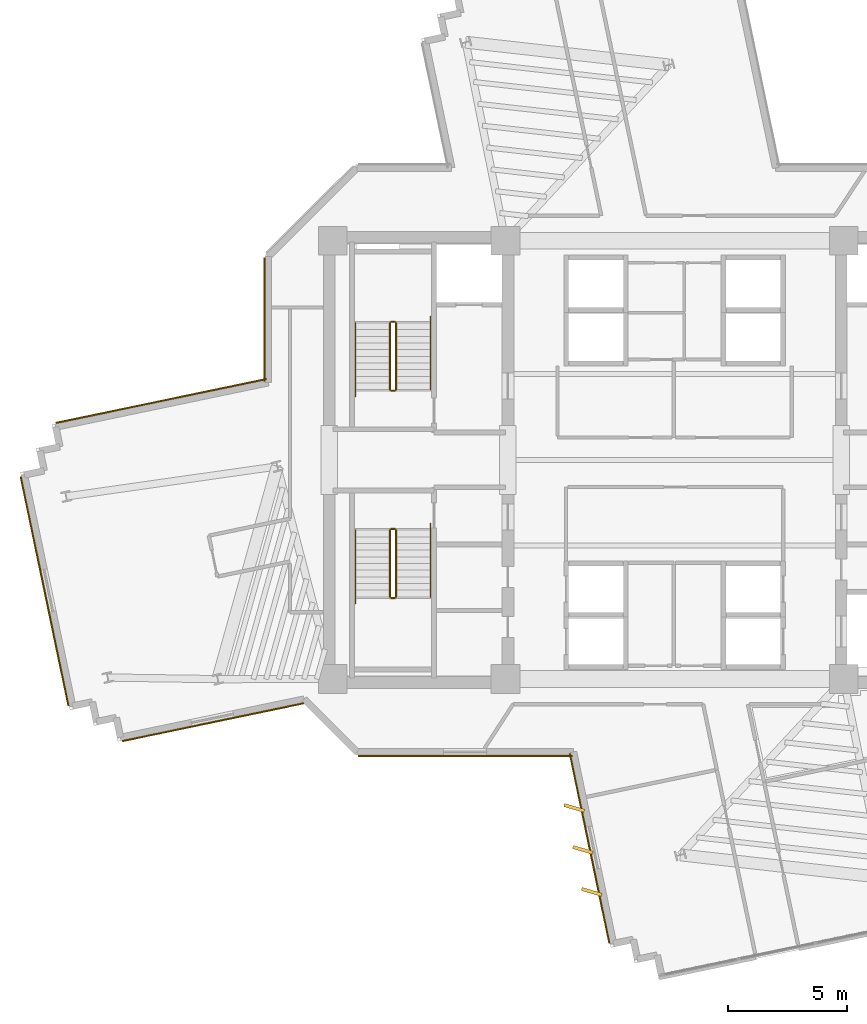
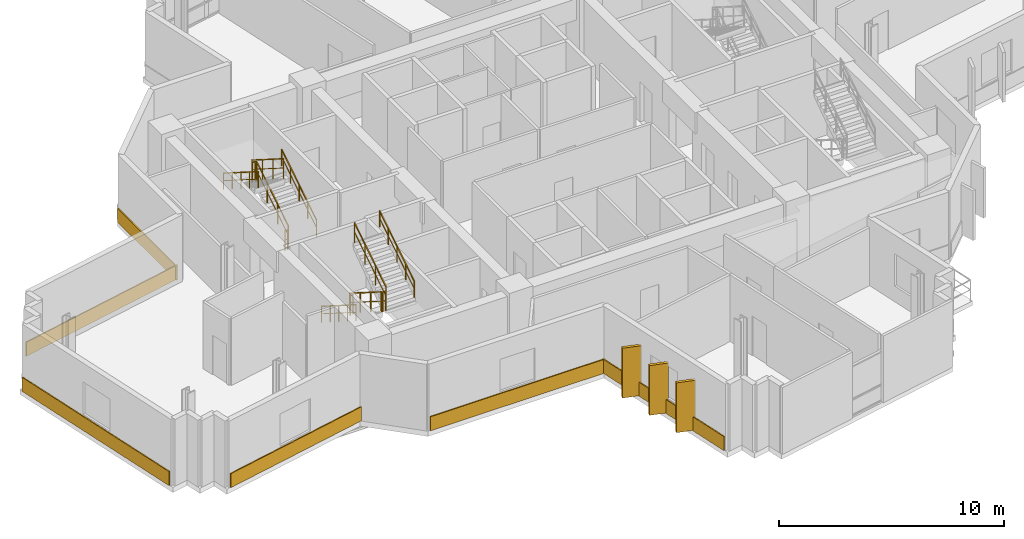
# One storey, part 12 of 14: 12 railings, 9 coverings.
"""IFC4 building model written with IfcOpenShell, lengths in metres."""

from ifc_helpers import new_model, si_unit, direction, frame, origin, origin_2d, place, context, subcontext, project, spatial, rectangle, extrude, source, transform, mapped, material, layer, layer_set, type_object, element, save


model = new_model("IFC4")

# Units and contexts
model_context = context("Model", 3, precision=1e-05, world=origin(), true_north=direction((0.0, 1.0)))
body_context = subcontext(model_context, "Body", "Model", "MODEL_VIEW")
ifc_project = project(units=[si_unit("LENGTHUNIT", "METRE"), si_unit("AREAUNIT", "SQUARE_METRE"), si_unit("VOLUMEUNIT", "CUBIC_METRE"), si_unit("PLANEANGLEUNIT", "RADIAN"), si_unit("MASSUNIT", "GRAM", prefix="KILO")], contexts=[model_context])

# Site, building, storey
site_placement = place(None, origin())
site = spatial("IfcSite", under=ifc_project, at=site_placement, CompositionType="ELEMENT")
building_placement = place(site_placement, origin())
building = spatial("IfcBuilding", under=site, at=building_placement, Name="Zahravan Cultural Tower", CompositionType="ELEMENT")
storey_placement = place(building_placement, frame((0.0, 0.0, 166.800048828125)))
storey = spatial("IfcBuildingStorey", under=building, at=storey_placement, Name="L38", CompositionType="ELEMENT", Elevation=166.800048828125)

# Railings
ifc_material_1 = material(Name="Steel ASTM A572 Grade 50", Category="steel")
railing_type_1 = type_object("IfcRailingType", Name="RL-STAIR-GRD1150", PredefinedType="BALUSTRADE", material=ifc_material_1)
railing_1_placement = place(storey_placement, frame((24.300048828125, 29.949951171875, 0.17724609375)))
element("IfcRailing", 1, at=railing_1_placement, inside=storey, type_object=railing_type_1, Name="L38 ST-W1 stair guard 1", PredefinedType="BALUSTRADE", context=body_context, shape_type="SweptSolid", body=[
    extrude(rectangle(XDim=0.05, YDim=0.05, at=origin_2d()), frame((0.0, 0.0, 1.0751953125), z_axis=(0.0, 0.844908973607, 0.534910110503), x_axis=(-1.0, 0.0, 0.0)), (0.0, 0.0, 1.0), 3.31396484375),
    extrude(rectangle(XDim=0.032, YDim=0.032, at=origin_2d()), frame((0.0, 0.0, 0.572021484375), z_axis=(0.0, 0.844908973607, 0.534910110503), x_axis=(-1.0, 0.0, 0.0)), (0.0, 0.0, 1.0), 3.31396484375),
    extrude(rectangle(XDim=0.04, YDim=0.04, at=origin_2d()), origin(), (0.0, 0.0, 1.0), 1.10009765625),
    extrude(rectangle(XDim=0.04, YDim=0.04, at=origin_2d()), frame((0.0, 0.933349609375, 0.5908203125)), (0.0, 0.0, 1.0), 1.10009765625),
    extrude(rectangle(XDim=0.04, YDim=0.04, at=origin_2d()), frame((0.0, 1.86669921875, 1.181884765625)), (0.0, 0.0, 1.0), 1.10009765625),
    extrude(rectangle(XDim=0.04, YDim=0.04, at=origin_2d()), frame((0.0, 2.800048828125, 1.772705078125)), (0.0, 0.0, 1.0), 1.10009765625),
])
railing_2_placement = place(storey_placement, frame((24.25, 32.800048828125, 1.949951171875)))
element("IfcRailing", 2, at=railing_2_placement, inside=storey, type_object=railing_type_1, Name="L38 ST-W1 stair guard 2", PredefinedType="BALUSTRADE", context=body_context, shape_type="SweptSolid", body=[
    extrude(rectangle(XDim=0.05, YDim=0.05, at=origin_2d()), frame((0.0, 0.0, 1.0751953125), z_axis=(-1.0, 0.0, 0.0), x_axis=(0.0, -1.0, 0.0)), (0.0, 0.0, 1.0), 0.14990234375),
    extrude(rectangle(XDim=0.032, YDim=0.032, at=origin_2d()), frame((0.0, 0.0, 0.572021484375), z_axis=(-1.0, 0.0, 0.0), x_axis=(0.0, -1.0, 0.0)), (0.0, 0.0, 1.0), 0.14990234375),
    extrude(rectangle(XDim=0.04, YDim=0.04, at=origin_2d()), origin(), (0.0, 0.0, 1.0), 1.10009765625),
    extrude(rectangle(XDim=0.04, YDim=0.04, at=origin_2d()), frame((-0.14990234375, 0.0, 0.0)), (0.0, 0.0, 1.0), 1.10009765625),
])
railing_3_placement = place(storey_placement, frame((24.050048828125, 32.75, 2.127197265625)))
element("IfcRailing", 3, at=railing_3_placement, inside=storey, type_object=railing_type_1, Name="L38 ST-W1 stair guard 3", PredefinedType="BALUSTRADE", context=body_context, shape_type="SweptSolid", body=[
    extrude(rectangle(XDim=0.05, YDim=0.05, at=origin_2d()), frame((0.0, 0.0, 1.0751953125), z_axis=(0.0, -0.844908973607, 0.534910110503), x_axis=(1.0, 0.0, 0.0)), (0.0, 0.0, 1.0), 3.31396484375),
    extrude(rectangle(XDim=0.032, YDim=0.032, at=origin_2d()), frame((0.0, 0.0, 0.572021484375), z_axis=(0.0, -0.844908973607, 0.534910110503), x_axis=(1.0, 0.0, 0.0)), (0.0, 0.0, 1.0), 3.31396484375),
    extrude(rectangle(XDim=0.04, YDim=0.04, at=origin_2d()), origin(), (0.0, 0.0, 1.0), 1.10009765625),
    extrude(rectangle(XDim=0.04, YDim=0.04, at=origin_2d()), frame((0.0, -0.933349609375, 0.5908203125)), (0.0, 0.0, 1.0), 1.10009765625),
    extrude(rectangle(XDim=0.04, YDim=0.04, at=origin_2d()), frame((0.0, -1.86669921875, 1.181884765625)), (0.0, 0.0, 1.0), 1.10009765625),
    extrude(rectangle(XDim=0.04, YDim=0.04, at=origin_2d()), frame((0.0, -2.800048828125, 1.772705078125)), (0.0, 0.0, 1.0), 1.10009765625),
])
railing_4_placement = place(storey_placement, frame((24.25, 29.89990234375, 0.0)))
element("IfcRailing", 4, at=railing_4_placement, inside=storey, type_object=railing_type_1, Name="L38 ST-W1 stair guard 4", PredefinedType="BALUSTRADE", context=body_context, shape_type="SweptSolid", body=[
    extrude(rectangle(XDim=0.05, YDim=0.05, at=origin_2d()), frame((0.0, 0.0, 1.0751953125), z_axis=(-1.0, 0.0, 0.0), x_axis=(0.0, -1.0, 0.0)), (0.0, 0.0, 1.0), 0.14990234375),
    extrude(rectangle(XDim=0.032, YDim=0.032, at=origin_2d()), frame((0.0, 0.0, 0.572021484375), z_axis=(-1.0, 0.0, 0.0), x_axis=(0.0, -1.0, 0.0)), (0.0, 0.0, 1.0), 0.14990234375),
    extrude(rectangle(XDim=0.04, YDim=0.04, at=origin_2d()), origin(), (0.0, 0.0, 1.0), 1.10009765625),
    extrude(rectangle(XDim=0.04, YDim=0.04, at=origin_2d()), frame((-0.14990234375, 0.0, 0.0)), (0.0, 0.0, 1.0), 1.10009765625),
])
railing_5_placement = place(storey_placement, frame((24.050048828125, 24.050048828125, 0.17724609375)))
element("IfcRailing", 5, at=railing_5_placement, inside=storey, type_object=railing_type_1, Name="L38 ST-W2 stair guard 1", PredefinedType="BALUSTRADE", context=body_context, shape_type="SweptSolid", body=[
    extrude(rectangle(XDim=0.05, YDim=0.05, at=origin_2d()), frame((0.0, 0.0, 1.0751953125), z_axis=(0.0, -0.844908973607, 0.534910110503), x_axis=(1.0, 0.0, 0.0)), (0.0, 0.0, 1.0), 3.31396484375),
    extrude(rectangle(XDim=0.032, YDim=0.032, at=origin_2d()), frame((0.0, 0.0, 0.572021484375), z_axis=(0.0, -0.844908973607, 0.534910110503), x_axis=(1.0, 0.0, 0.0)), (0.0, 0.0, 1.0), 3.31396484375),
    extrude(rectangle(XDim=0.04, YDim=0.04, at=origin_2d()), origin(), (0.0, 0.0, 1.0), 1.10009765625),
    extrude(rectangle(XDim=0.04, YDim=0.04, at=origin_2d()), frame((0.0, -0.933349609375, 0.5908203125)), (0.0, 0.0, 1.0), 1.10009765625),
    extrude(rectangle(XDim=0.04, YDim=0.04, at=origin_2d()), frame((0.0, -1.86669921875, 1.181884765625)), (0.0, 0.0, 1.0), 1.10009765625),
    extrude(rectangle(XDim=0.04, YDim=0.04, at=origin_2d()), frame((0.0, -2.800048828125, 1.772705078125)), (0.0, 0.0, 1.0), 1.10009765625),
])
railing_6_placement = place(storey_placement, frame((24.10009765625, 21.199951171875, 1.949951171875)))
element("IfcRailing", 6, at=railing_6_placement, inside=storey, type_object=railing_type_1, Name="L38 ST-W2 stair guard 2", PredefinedType="BALUSTRADE", context=body_context, shape_type="SweptSolid", body=[
    extrude(rectangle(XDim=0.05, YDim=0.05, at=origin_2d()), frame((0.0, 0.0, 1.0751953125), z_axis=(1.0, 0.0, 0.0), x_axis=(0.0, 1.0, 0.0)), (0.0, 0.0, 1.0), 0.14990234375),
    extrude(rectangle(XDim=0.032, YDim=0.032, at=origin_2d()), frame((0.0, 0.0, 0.572021484375), z_axis=(1.0, 0.0, 0.0), x_axis=(0.0, 1.0, 0.0)), (0.0, 0.0, 1.0), 0.14990234375),
    extrude(rectangle(XDim=0.04, YDim=0.04, at=origin_2d()), origin(), (0.0, 0.0, 1.0), 1.10009765625),
    extrude(rectangle(XDim=0.04, YDim=0.04, at=origin_2d()), frame((0.14990234375, 0.0, 0.0)), (0.0, 0.0, 1.0), 1.10009765625),
])
railing_7_placement = place(storey_placement, frame((24.300048828125, 21.25, 2.127197265625)))
element("IfcRailing", 7, at=railing_7_placement, inside=storey, type_object=railing_type_1, Name="L38 ST-W2 stair guard 3", PredefinedType="BALUSTRADE", context=body_context, shape_type="SweptSolid", body=[
    extrude(rectangle(XDim=0.05, YDim=0.05, at=origin_2d()), frame((0.0, 0.0, 1.0751953125), z_axis=(0.0, 0.844908973607, 0.534910110503), x_axis=(-1.0, 0.0, 0.0)), (0.0, 0.0, 1.0), 3.31396484375),
    extrude(rectangle(XDim=0.032, YDim=0.032, at=origin_2d()), frame((0.0, 0.0, 0.572021484375), z_axis=(0.0, 0.844908973607, 0.534910110503), x_axis=(-1.0, 0.0, 0.0)), (0.0, 0.0, 1.0), 3.31396484375),
    extrude(rectangle(XDim=0.04, YDim=0.04, at=origin_2d()), origin(), (0.0, 0.0, 1.0), 1.10009765625),
    extrude(rectangle(XDim=0.04, YDim=0.04, at=origin_2d()), frame((0.0, 0.933349609375, 0.5908203125)), (0.0, 0.0, 1.0), 1.10009765625),
    extrude(rectangle(XDim=0.04, YDim=0.04, at=origin_2d()), frame((0.0, 1.86669921875, 1.181884765625)), (0.0, 0.0, 1.0), 1.10009765625),
    extrude(rectangle(XDim=0.04, YDim=0.04, at=origin_2d()), frame((0.0, 2.800048828125, 1.772705078125)), (0.0, 0.0, 1.0), 1.10009765625),
])
railing_8_placement = place(storey_placement, frame((24.10009765625, 24.10009765625, 0.0)))
element("IfcRailing", 8, at=railing_8_placement, inside=storey, type_object=railing_type_1, Name="L38 ST-W2 stair guard 4", PredefinedType="BALUSTRADE", context=body_context, shape_type="SweptSolid", body=[
    extrude(rectangle(XDim=0.05, YDim=0.05, at=origin_2d()), frame((0.0, 0.0, 1.0751953125), z_axis=(1.0, 0.0, 0.0), x_axis=(0.0, 1.0, 0.0)), (0.0, 0.0, 1.0), 0.14990234375),
    extrude(rectangle(XDim=0.032, YDim=0.032, at=origin_2d()), frame((0.0, 0.0, 0.572021484375), z_axis=(1.0, 0.0, 0.0), x_axis=(0.0, 1.0, 0.0)), (0.0, 0.0, 1.0), 0.14990234375),
    extrude(rectangle(XDim=0.04, YDim=0.04, at=origin_2d()), origin(), (0.0, 0.0, 1.0), 1.10009765625),
    extrude(rectangle(XDim=0.04, YDim=0.04, at=origin_2d()), frame((0.14990234375, 0.0, 0.0)), (0.0, 0.0, 1.0), 1.10009765625),
])
railing_type_2 = type_object("IfcRailingType", Name="RL-STAIR-HR900", PredefinedType="HANDRAIL", material=ifc_material_1)
railing_9_placement = place(storey_placement, frame((25.75, 29.949951171875, 0.17724609375)))
element("IfcRailing", 9, at=railing_9_placement, inside=storey, type_object=railing_type_2, Name="L38 ST-W1 stair handrail 1", PredefinedType="HANDRAIL", context=body_context, shape_type="SweptSolid", body=[
    extrude(rectangle(XDim=0.05, YDim=0.05, at=origin_2d()), frame((0.0, 0.0, 0.875), z_axis=(0.0, 0.844913916606, 0.534902302785), x_axis=(-1.0, 0.0, 0.0)), (0.0, 0.0, 1.0), 3.6455078125),
    extrude(rectangle(XDim=0.032, YDim=0.032, at=origin_2d()), frame((0.0, 0.0, 0.468017578125), z_axis=(0.0, 0.844913916606, 0.534902302785), x_axis=(-1.0, 0.0, 0.0)), (0.0, 0.0, 1.0), 3.6455078125),
    extrude(rectangle(XDim=0.04, YDim=0.04, at=origin_2d()), origin(), (0.0, 0.0, 1.0), 0.89990234375),
    extrude(rectangle(XDim=0.04, YDim=0.04, at=origin_2d()), frame((0.0, 0.77001953125, 0.487548828125)), (0.0, 0.0, 1.0), 0.89990234375),
    extrude(rectangle(XDim=0.04, YDim=0.04, at=origin_2d()), frame((0.0, 1.5400390625, 0.97509765625)), (0.0, 0.0, 1.0), 0.89990234375),
    extrude(rectangle(XDim=0.04, YDim=0.04, at=origin_2d()), frame((0.0, 2.31005859375, 1.46240234375)), (0.0, 0.0, 1.0), 0.89990234375),
    extrude(rectangle(XDim=0.04, YDim=0.04, at=origin_2d()), frame((0.0, 3.080078125, 1.949951171875)), (0.0, 0.0, 1.0), 0.89990234375),
])
for number, where, name in (
    (10, (22.60009765625, 32.75, 2.127197265625), "L38 ST-W1 stair handrail 2"),
    (11, (22.60009765625, 24.050048828125, 0.17724609375), "L38 ST-W2 stair handrail 1"),
):
    element("IfcRailing", number, at=place(storey_placement, frame(where)), inside=storey, type_object=railing_type_2, Name=name, PredefinedType="HANDRAIL", context=body_context, shape_type="SweptSolid", body=[
        extrude(rectangle(XDim=0.05, YDim=0.05, at=origin_2d()), frame((0.0, 0.0, 0.875), z_axis=(0.0, -0.844913916606, 0.534902302785), x_axis=(1.0, 0.0, 0.0)), (0.0, 0.0, 1.0), 3.6455078125),
        extrude(rectangle(XDim=0.032, YDim=0.032, at=origin_2d()), frame((0.0, 0.0, 0.468017578125), z_axis=(0.0, -0.844913916606, 0.534902302785), x_axis=(1.0, 0.0, 0.0)), (0.0, 0.0, 1.0), 3.6455078125),
        extrude(rectangle(XDim=0.04, YDim=0.04, at=origin_2d()), origin(), (0.0, 0.0, 1.0), 0.89990234375),
        extrude(rectangle(XDim=0.04, YDim=0.04, at=origin_2d()), frame((0.0, -0.77001953125, 0.487548828125)), (0.0, 0.0, 1.0), 0.89990234375),
        extrude(rectangle(XDim=0.04, YDim=0.04, at=origin_2d()), frame((0.0, -1.5400390625, 0.97509765625)), (0.0, 0.0, 1.0), 0.89990234375),
        extrude(rectangle(XDim=0.04, YDim=0.04, at=origin_2d()), frame((0.0, -2.31005859375, 1.46240234375)), (0.0, 0.0, 1.0), 0.89990234375),
        extrude(rectangle(XDim=0.04, YDim=0.04, at=origin_2d()), frame((0.0, -3.080078125, 1.949951171875)), (0.0, 0.0, 1.0), 0.89990234375),
    ])
railing_10_placement = place(storey_placement, frame((25.75, 21.25, 2.127197265625)))
element("IfcRailing", 12, at=railing_10_placement, inside=storey, type_object=railing_type_2, Name="L38 ST-W2 stair handrail 2", PredefinedType="HANDRAIL", context=body_context, shape_type="SweptSolid", body=[
    extrude(rectangle(XDim=0.05, YDim=0.05, at=origin_2d()), frame((0.0, 0.0, 0.875), z_axis=(0.0, 0.844913916606, 0.534902302785), x_axis=(-1.0, 0.0, 0.0)), (0.0, 0.0, 1.0), 3.6455078125),
    extrude(rectangle(XDim=0.032, YDim=0.032, at=origin_2d()), frame((0.0, 0.0, 0.468017578125), z_axis=(0.0, 0.844913916606, 0.534902302785), x_axis=(-1.0, 0.0, 0.0)), (0.0, 0.0, 1.0), 3.6455078125),
    extrude(rectangle(XDim=0.04, YDim=0.04, at=origin_2d()), origin(), (0.0, 0.0, 1.0), 0.89990234375),
    extrude(rectangle(XDim=0.04, YDim=0.04, at=origin_2d()), frame((0.0, 0.77001953125, 0.487548828125)), (0.0, 0.0, 1.0), 0.89990234375),
    extrude(rectangle(XDim=0.04, YDim=0.04, at=origin_2d()), frame((0.0, 1.5400390625, 0.97509765625)), (0.0, 0.0, 1.0), 0.89990234375),
    extrude(rectangle(XDim=0.04, YDim=0.04, at=origin_2d()), frame((0.0, 2.31005859375, 1.46240234375)), (0.0, 0.0, 1.0), 0.89990234375),
    extrude(rectangle(XDim=0.04, YDim=0.04, at=origin_2d()), frame((0.0, 3.080078125, 1.949951171875)), (0.0, 0.0, 1.0), 0.89990234375),
])

# Coverings
ifc_material_2 = material(Name="Terracotta ceramic cladding", Category="masonry")
ifc_layer = layer(ifc_material_2, 0.06005859375)
ifc_layer_set = layer_set([ifc_layer], Name="Terracotta ceramic cladding")
covering_type = type_object("IfcCoveringType", Name="COV-CLAD-TC60", PredefinedType="CLADDING", material=ifc_layer_set)
shared_shape_1 = source(origin(), body_context, "Body", "SweptSolid", [
    extrude(rectangle(XDim=9.820068359375, YDim=0.06005859375, at=origin_2d()), origin(), (0.0, 0.0, 1.0), 0.760009765625),
])
covering_1_placement = place(storey_placement, frame((9.544189453125, 21.482666015625, 0.02001953125), z_axis=(0.0, 0.0, 1.0), x_axis=(-0.204154350213, 0.978938711712, 0.0)))
element("IfcCovering", 13, at=covering_1_placement, inside=storey, type_object=covering_type, Name="L38 Terracotta Spandrel Cladding 32", PredefinedType="CLADDING", context=body_context, shape_type="MappedRepresentation", body=[
    mapped(shared_shape_1, transform((0.0, 0.0, 0.0), x_axis=(1.0, 0.0, 0.0), y_axis=(0.0, 1.0, 0.0), z_axis=(0.0, 0.0, 1.0), scale=1.0)),
])
shared_shape_2 = source(origin(), body_context, "Body", "SweptSolid", [
    extrude(rectangle(XDim=0.8798828125, YDim=0.139892578125, at=origin_2d()), origin(), (0.0, 0.0, 1.0), 2.699951171875),
])
for number, where, z_axis, x_axis, name in (
    (14, (32.52001953125, 8.860107421875, 0.0498046875), (0.0, 0.0, 1.0), (-0.960196240907, 0.279326294767, 0.0), "L38 Herringbone Terracotta Fin 16"),
    (15, (32.152587890625, 10.6220703125, 0.0498046875), (0.0, 0.0, 1.0), (-0.960196240907, 0.279326294767, 0.0), "L38 Herringbone Terracotta Fin 17"),
    (16, (31.78515625, 12.38427734375, 0.0498046875), (0.0, 0.0, 1.0), (-0.960196240907, 0.279326294767, 0.0), "L38 Herringbone Terracotta Fin 18"),
):
    element("IfcCovering", number, at=place(storey_placement, frame(where, z_axis=z_axis, x_axis=x_axis)), inside=storey, type_object=covering_type, Name=name, PredefinedType="CLADDING", context=body_context, shape_type="MappedRepresentation", body=[
        mapped(shared_shape_2, transform((0.0, 0.0, 0.0), x_axis=(1.0, 0.0, 0.0), y_axis=(0.0, 1.0, 0.0), z_axis=(0.0, 0.0, 1.0), scale=1.0)),
    ])
shared_shape_3 = source(origin(), body_context, "Body", "SweptSolid", [
    extrude(rectangle(XDim=7.781494140625, YDim=0.06005859375, at=origin_2d()), origin(), (0.0, 0.0, 1.0), 0.760009765625),
])
covering_2_placement = place(storey_placement, frame((16.62109375, 15.98681640625, 0.02001953125), z_axis=(0.0, 0.0, 1.0), x_axis=(-0.978938711712, -0.204154350213, 0.0)))
element("IfcCovering", 17, at=covering_2_placement, inside=storey, type_object=covering_type, Name="L38 Terracotta Spandrel Cladding 27", PredefinedType="CLADDING", context=body_context, shape_type="MappedRepresentation", body=[
    mapped(shared_shape_3, transform((0.0, 0.0, 0.0), x_axis=(1.0, 0.0, 0.0), y_axis=(0.0, 1.0, 0.0), z_axis=(0.0, 0.0, 1.0), scale=1.0)),
])
shared_shape_4 = source(origin(), body_context, "Body", "SweptSolid", [
    extrude(rectangle(XDim=9.02197265625, YDim=0.06005859375, at=origin_2d()), origin(), (0.0, 0.0, 1.0), 0.760009765625),
])
covering_3_placement = place(storey_placement, frame((14.44140625, 29.475830078125, 0.02001953125), z_axis=(0.0, 0.0, 1.0), x_axis=(0.978938711712, 0.204154350213, 0.0)))
element("IfcCovering", 18, at=covering_3_placement, inside=storey, type_object=covering_type, Name="L38 Terracotta Spandrel Cladding 37", PredefinedType="CLADDING", context=body_context, shape_type="MappedRepresentation", body=[
    mapped(shared_shape_4, transform((0.0, 0.0, 0.0), x_axis=(1.0, 0.0, 0.0), y_axis=(0.0, 1.0, 0.0), z_axis=(0.0, 0.0, 1.0), scale=1.0)),
])
shared_shape_5 = source(origin(), body_context, "Body", "SweptSolid", [
    extrude(rectangle(XDim=5.196533203125, YDim=0.06005859375, at=origin_2d()), origin(), (0.0, 0.0, 1.0), 0.760009765625),
])
covering_4_placement = place(storey_placement, frame((18.77490234375, 32.893798828125, 0.02001953125), z_axis=(0.0, 0.0, 1.0), x_axis=(0.0, 1.0, 0.0)))
element("IfcCovering", 19, at=covering_4_placement, inside=storey, type_object=covering_type, Name="L38 Terracotta Spandrel Cladding 38", PredefinedType="CLADDING", context=body_context, shape_type="MappedRepresentation", body=[
    mapped(shared_shape_5, transform((0.0, 0.0, 0.0), x_axis=(1.0, 0.0, 0.0), y_axis=(0.0, 1.0, 0.0), z_axis=(0.0, 0.0, 1.0), scale=1.0)),
])
shared_shape_6 = source(origin(), body_context, "Body", "SweptSolid", [
    extrude(rectangle(XDim=8.125244140625, YDim=0.06005859375, at=origin_2d()), origin(), (0.0, 0.0, 1.0), 0.760009765625),
])
covering_5_placement = place(storey_placement, frame((32.431640625, 10.680419921875, 0.02001953125), z_axis=(0.0, 0.0, 1.0), x_axis=(-0.204154350213, 0.978938711712, 0.0)))
element("IfcCovering", 20, at=covering_5_placement, inside=storey, type_object=covering_type, Name="L38 Terracotta Spandrel Cladding 24", PredefinedType="CLADDING", context=body_context, shape_type="MappedRepresentation", body=[
    mapped(shared_shape_6, transform((0.0, 0.0, 0.0), x_axis=(1.0, 0.0, 0.0), y_axis=(0.0, 1.0, 0.0), z_axis=(0.0, 0.0, 1.0), scale=1.0)),
])
shared_shape_7 = source(origin(), body_context, "Body", "SweptSolid", [
    extrude(rectangle(XDim=8.99560546875, YDim=0.06005859375, at=origin_2d()), origin(), (0.0, 0.0, 1.0), 0.760009765625),
])
covering_6_placement = place(storey_placement, frame((27.205810546875, 14.574951171875, 0.02001953125), z_axis=(0.0, 0.0, 1.0), x_axis=(-1.0, 0.0, 0.0)))
element("IfcCovering", 21, at=covering_6_placement, inside=storey, type_object=covering_type, Name="L38 Terracotta Spandrel Cladding 25", PredefinedType="CLADDING", context=body_context, shape_type="MappedRepresentation", body=[
    mapped(shared_shape_7, transform((0.0, 0.0, 0.0), x_axis=(1.0, 0.0, 0.0), y_axis=(0.0, 1.0, 0.0), z_axis=(0.0, 0.0, 1.0), scale=1.0)),
])

save(model, "model.ifc")
